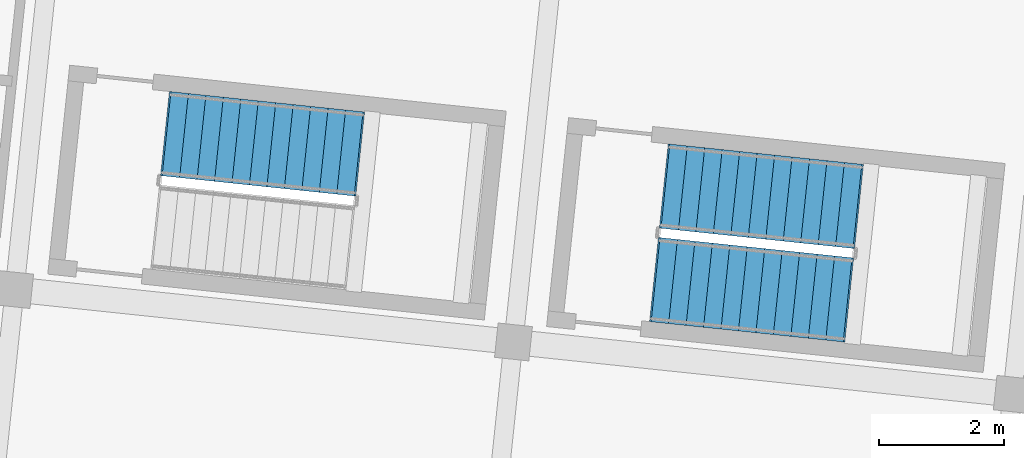
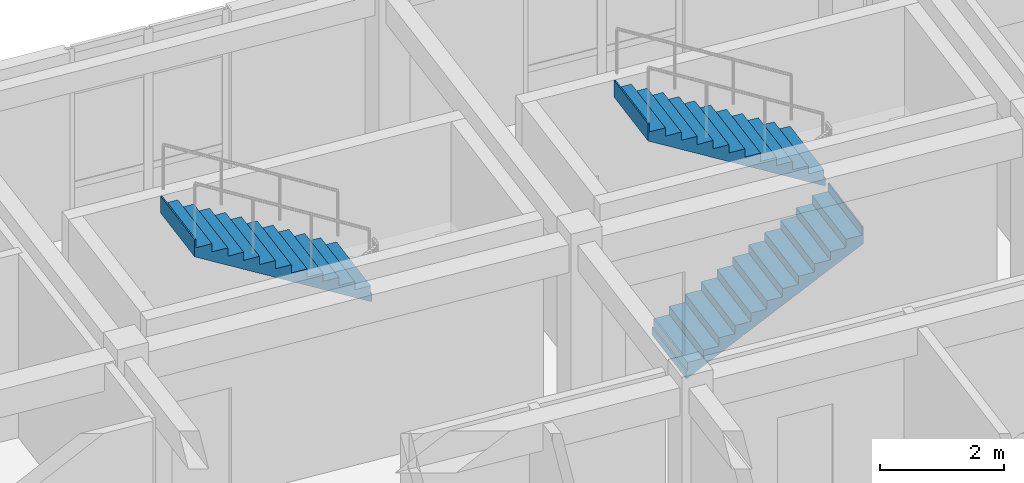
# One storey, part 107 of 150: 3 stair flights, 2 elements without a shape of their own.
"""IFC4 building model written with IfcOpenShell, lengths in metres."""

import ifcopenshell
import ifcopenshell.guid

model = None  # the IFC model being written
_history = None  # IfcOwnerHistory: only IFC2X3 demands one
_inside = {}  # id of a spatial element -> (the spatial element, [elements in it])
_under = {}  # id of a project, library or spatial element -> (it, [spatial elements below it])
_declared = {}  # id of a project -> (the project, [libraries it declares])
_typed = {}  # id of a type object -> (the type object, [elements of that type])
_made_of = {}  # id of a material, layer set ... -> (it, [elements and type objects made of it])


def new_model(schema):
    """Start an empty IFC model of exactly this schema.

    Asked for "IFC4X3", IfcOpenShell would pick the latest addendum, in which some entities
    have other attributes; the version numbers below select the first issue.
    IFC2X3 requires an IfcOwnerHistory on every rooted entity: one is made here for all.
    """
    global model, _history
    if schema == "IFC4X3":
        model = ifcopenshell.file(schema_version=(4, 3, 0, 0))
    else:
        model = ifcopenshell.file(schema=schema)
    _inside.clear()
    _under.clear()
    _declared.clear()
    _typed.clear()
    _made_of.clear()
    _history = None
    if model.schema == "IFC2X3":
        org = make("IfcOrganization", Name="unknown")
        user = make(
            "IfcPersonAndOrganization",
            ThePerson=make("IfcPerson", FamilyName="unknown"),
            TheOrganization=org,
        )
        app = make(
            "IfcApplication",
            ApplicationDeveloper=org,
            Version="unknown",
            ApplicationFullName="unknown",
            ApplicationIdentifier="unknown",
        )
        _history = make(
            "IfcOwnerHistory",
            OwningUser=user,
            OwningApplication=app,
            ChangeAction="ADDED",
            CreationDate=0,
        )
    return model


def make(cls, **values):
    """One entity of the class cls with the attributes given. An attribute that is None is left unset."""
    return model.create_entity(
        cls, **{name: value for name, value in values.items() if value is not None}
    )


def rooted(cls, **values):
    """An entity with a GlobalId (a new one), such as an element, a storey or a relation."""
    return make(cls, GlobalId=ifcopenshell.guid.new(), OwnerHistory=_history, **values)


def si_unit(unit_type, name, prefix=None):
    """IfcSIUnit, for example si_unit("LENGTHUNIT", "METRE", prefix="MILLI")."""
    return make("IfcSIUnit", UnitType=unit_type, Prefix=prefix, Name=name)


def assignment(units):
    """IfcUnitAssignment: the units of a project."""
    return None if units is None else make("IfcUnitAssignment", Units=units)


def point(xyz):
    """IfcCartesianPoint."""
    return None if xyz is None else make("IfcCartesianPoint", Coordinates=xyz)


def direction(xyz):
    """IfcDirection."""
    return None if xyz is None else make("IfcDirection", DirectionRatios=xyz)


def frame(location, z_axis=None, x_axis=None):
    """IfcAxis2Placement3D, a coordinate frame: its origin and axes. An axis left out is left unset."""
    return make(
        "IfcAxis2Placement3D",
        Location=point(location),
        Axis=direction(z_axis),
        RefDirection=direction(x_axis),
    )


def origin():
    """The frame at (0, 0, 0) with its axes left unset."""
    return frame((0.0, 0.0, 0.0))


def place(relative_to, where):
    """IfcLocalPlacement: puts the frame where relative to a parent placement (None: the world)."""
    return make(
        "IfcLocalPlacement", PlacementRelTo=relative_to, RelativePlacement=where
    )


def context(
    kind, dimensions, precision=None, world=None, true_north=None, identifier=None
):
    """IfcGeometricRepresentationContext, for example the 3D "Model" context."""
    return make(
        "IfcGeometricRepresentationContext",
        ContextIdentifier=identifier,
        ContextType=kind,
        CoordinateSpaceDimension=dimensions,
        Precision=precision,
        WorldCoordinateSystem=world,
        TrueNorth=true_north,
    )


def subcontext(parent, identifier, kind, view, scale=None):
    """IfcGeometricRepresentationSubContext, for example "Body" below "Model"."""
    return make(
        "IfcGeometricRepresentationSubContext",
        ContextIdentifier=identifier,
        ContextType=kind,
        ParentContext=parent,
        TargetScale=scale,
        TargetView=view,
    )


def project(units=None, contexts=None):
    """IfcProject with its units and contexts."""
    return rooted(
        "IfcProject",
        Name="project",
        RepresentationContexts=contexts,
        UnitsInContext=assignment(units),
    )


def spatial(cls, under=None, at=None, **own):
    """A site, building, storey or space (cls), placed at a placement, below another one or the project."""
    s = rooted(cls, ObjectPlacement=at, **own)
    if under is not None:
        _under.setdefault(under.id(), (under, []))[1].append(s)
    return s


def polyline(points):
    """IfcPolyline through the points."""
    return make("IfcPolyline", Points=[point(p) for p in points])


def outline(outer, holes=None, kind="AREA"):
    """IfcArbitraryClosedProfileDef: a profile drawn as a closed curve; with holes, ...WithVoids."""
    if holes is None:
        return make("IfcArbitraryClosedProfileDef", ProfileType=kind, OuterCurve=outer)
    return make(
        "IfcArbitraryProfileDefWithVoids",
        ProfileType=kind,
        OuterCurve=outer,
        InnerCurves=holes,
    )


def extrude(swept, where, along, depth):
    """IfcExtrudedAreaSolid: the profile swept, set in the frame where, extruded along a direction by depth."""
    return make(
        "IfcExtrudedAreaSolid",
        SweptArea=swept,
        Position=where,
        ExtrudedDirection=direction(along),
        Depth=depth,
    )


def shape(context_of_items, identifier, shape_type, items):
    """IfcShapeRepresentation: the items that make up one representation, for example the "Body"."""
    return make(
        "IfcShapeRepresentation",
        ContextOfItems=context_of_items,
        RepresentationIdentifier=identifier,
        RepresentationType=shape_type,
        Items=items,
    )


def material(Name=None, Category=None):
    """IfcMaterial."""
    return make("IfcMaterial", Name=Name, Category=Category)


def made_of(thing, what):
    """Note that an element or type object is made of a material, layer set ...; save() writes the relation."""
    if what is not None:
        _made_of.setdefault(what.id(), (what, []))[1].append(thing)
    return thing


def type_object(cls, material=None, **own):
    """A type object (cls), such as IfcWallType, which elements share."""
    return made_of(rooted(cls, **own), material)


def element(
    cls,
    number,
    at=None,
    inside=None,
    cuts=None,
    type_object=None,
    material=None,
    context=None,
    identifier="Body",
    shape_type=None,
    held_by="IfcProductDefinitionShape",
    body=None,
    shapes=None,
    **own,
):
    """One element of the class cls, such as IfcWall. Its Tag is "e" and its number.

    at: its placement. inside: the storey or other place that contains it. cuts: it is an
    opening in that element (IfcRelVoidsElement). A single representation is given by context,
    identifier, shape_type and body (its items); several are given by shapes. held_by: the class
    of the entity that holds the representations. save() writes the other relations.
    """
    e = rooted(cls, Tag="e%d" % number, ObjectPlacement=at, **own)
    if body is not None:
        shapes = [shape(context, identifier, shape_type, body)]
    if shapes is not None:
        e.Representation = make(held_by, Representations=shapes)
    if inside is not None:
        _inside.setdefault(inside.id(), (inside, []))[1].append(e)
    if cuts is not None:
        rooted(
            "IfcRelVoidsElement", RelatingBuildingElement=cuts, RelatedOpeningElement=e
        )
    if type_object is not None:
        _typed.setdefault(type_object.id(), (type_object, []))[1].append(e)
    return made_of(e, material)


def aggregate(whole, parts):
    """IfcRelAggregates: a whole, such as a stair, and the parts it consists of."""
    return rooted("IfcRelAggregates", RelatingObject=whole, RelatedObjects=parts)


def save(model, path):
    """Write the relations noted so far, then the file.

    IfcRelAggregates (storeys below a building ...), IfcRelContainedInSpatialStructure (elements
    in a storey), IfcRelDefinesByType, IfcRelAssociatesMaterial and IfcRelDeclares: one each for
    every whole, place, type object, material and project.
    """
    for whole, parts in _under.values():
        aggregate(whole, parts)
    for where, things in _inside.values():
        rooted(
            "IfcRelContainedInSpatialStructure",
            RelatedElements=things,
            RelatingStructure=where,
        )
    for kind, things in _typed.values():
        rooted("IfcRelDefinesByType", RelatedObjects=things, RelatingType=kind)
    for what, things in _made_of.values():
        rooted("IfcRelAssociatesMaterial", RelatedObjects=things, RelatingMaterial=what)
    for by, libraries in _declared.values():
        rooted("IfcRelDeclares", RelatingContext=by, RelatedDefinitions=libraries)
    model.write(path)


model = new_model("IFC4")

# Units and contexts
model_context = context("Model", 3, precision=1e-05, world=origin(), true_north=direction((0.0, 1.0)))
body_context = subcontext(model_context, "Body", "Model", "MODEL_VIEW")
ifc_project = project(units=[si_unit("LENGTHUNIT", "METRE"), si_unit("AREAUNIT", "SQUARE_METRE"), si_unit("VOLUMEUNIT", "CUBIC_METRE"), si_unit("PLANEANGLEUNIT", "RADIAN"), si_unit("MASSUNIT", "GRAM", prefix="KILO")], contexts=[model_context])

# Site, building, storey
site_placement = place(None, origin())
site = spatial("IfcSite", under=ifc_project, at=site_placement, CompositionType="ELEMENT")
building_placement = place(site_placement, origin())
building = spatial("IfcBuilding", under=site, at=building_placement, Name="Kestramere Prow Commons", CompositionType="ELEMENT")
storey_placement = place(building_placement, frame((0.0, 0.0, 4.5)))
storey = spatial("IfcBuildingStorey", under=building, at=storey_placement, Name="L01", CompositionType="ELEMENT", Elevation=4.5)

# Stair, stair flight
ifc_material = material(Name="Concrete C40/50", Category="concrete")
stair_type = type_object("IfcStairType", Name="ST-DOG-1350", PredefinedType="HALF_TURN_STAIR", material=ifc_material)
stair_1_placement = place(storey_placement, origin())
stair_1 = element("IfcStair", 1, at=stair_1_placement, inside=storey, type_object=stair_type, Name="L01 Block B Exit Stair 1", PredefinedType="HALF_TURN_STAIR")
stair_flight_type = type_object("IfcStairFlightType", Name="SFL-1350", PredefinedType="STRAIGHT", material=ifc_material)
stair_flight_1_placement = place(storey_placement, frame((140.609130859375, 106.388916015625, 1.949951171875), z_axis=(0.0, 0.0, 1.0), x_axis=(-0.994521895368, 0.104528463268, 0.0)))
stair_flight_1 = element("IfcStairFlight", 2, at=stair_flight_1_placement, type_object=stair_flight_type, Name="ST-B1 flight 2", NumberOfRisers=12, NumberOfTreads=11, PredefinedType="STRAIGHT", RiserHeight=0.1625, TreadLength=0.28, context=body_context, shape_type="SweptSolid", body=[
    extrude(outline(polyline([(-0.02490234375, 0.0), (0.0, 0.0), (0.0, 0.16259765625), (0.280029296875, 0.16259765625), (0.280029296875, 0.324951171875), (0.56005859375, 0.324951171875), (0.56005859375, 0.487548828125), (0.840087890625, 0.487548828125), (0.840087890625, 0.64990234375), (1.1201171875, 0.64990234375), (1.1201171875, 0.8125), (1.39990234375, 0.8125), (1.39990234375, 0.97509765625), (1.679931640625, 0.97509765625), (1.679931640625, 1.137451171875), (1.9599609375, 1.137451171875), (1.9599609375, 1.300048828125), (2.239990234375, 1.300048828125), (2.239990234375, 1.46240234375), (2.52001953125, 1.46240234375), (2.52001953125, 1.625), (2.800048828125, 1.625), (2.800048828125, 1.78759765625), (3.080078125, 1.78759765625), (3.080078125, 1.949951171875), (3.10498046875, 1.949951171875), (3.10498046875, 1.6142578125), (0.0, -0.14990234375), (-0.02490234375, -0.14990234375), (-0.02490234375, 0.0)])), frame((0.0, 0.675048828125, 0.0), z_axis=(0.0, -1.0, 0.0), x_axis=(1.0, 0.0, 0.0)), (0.0, 0.0, 1.0), 1.35009765625),
])
aggregate(stair_1, [stair_flight_1])

# Stair, stair flights
stair_2_placement = place(storey_placement, origin())
stair_2 = element("IfcStair", 3, at=stair_2_placement, inside=storey, type_object=stair_type, Name="L01 Block B Exit Stair 2", PredefinedType="HALF_TURN_STAIR")
stair_flight_2_placement = place(storey_placement, frame((145.34521484375, 104.3828125, 0.0), z_axis=(0.0, 0.0, 1.0), x_axis=(0.994521895368, -0.104528463268, 0.0)))
stair_flight_2 = element("IfcStairFlight", 4, at=stair_flight_2_placement, type_object=stair_flight_type, Name="ST-B2 flight 1", NumberOfRisers=12, NumberOfTreads=11, PredefinedType="STRAIGHT", RiserHeight=0.1625, TreadLength=0.28, context=body_context, shape_type="SweptSolid", body=[
    extrude(outline(polyline([(-0.02490234375, 0.0), (0.0, 0.0), (0.0, 0.16259765625), (0.280029296875, 0.16259765625), (0.280029296875, 0.324951171875), (0.56005859375, 0.324951171875), (0.56005859375, 0.487548828125), (0.840087890625, 0.487548828125), (0.840087890625, 0.64990234375), (1.1201171875, 0.64990234375), (1.1201171875, 0.8125), (1.39990234375, 0.8125), (1.39990234375, 0.97509765625), (1.679931640625, 0.97509765625), (1.679931640625, 1.137451171875), (1.9599609375, 1.137451171875), (1.9599609375, 1.300048828125), (2.239990234375, 1.300048828125), (2.239990234375, 1.46240234375), (2.52001953125, 1.46240234375), (2.52001953125, 1.625), (2.800048828125, 1.625), (2.800048828125, 1.78759765625), (3.080078125, 1.78759765625), (3.080078125, 1.949951171875), (3.10498046875, 1.949951171875), (3.10498046875, 1.6142578125), (0.0, -0.14990234375), (-0.02490234375, -0.14990234375), (-0.02490234375, 0.0)])), frame((0.0, 0.675048828125, 0.0), z_axis=(0.0, -1.0, 0.0), x_axis=(1.0, 0.0, 0.0)), (0.0, 0.0, 1.0), 1.35009765625),
])
stair_flight_3_placement = place(storey_placement, frame((148.565185546875, 105.552734375, 1.949951171875), z_axis=(0.0, 0.0, 1.0), x_axis=(-0.994521895368, 0.104528463268, 0.0)))
stair_flight_3 = element("IfcStairFlight", 5, at=stair_flight_3_placement, type_object=stair_flight_type, Name="ST-B2 flight 2", NumberOfRisers=12, NumberOfTreads=11, PredefinedType="STRAIGHT", RiserHeight=0.1625, TreadLength=0.28, context=body_context, shape_type="SweptSolid", body=[
    extrude(outline(polyline([(-0.02490234375, 0.0), (0.0, 0.0), (0.0, 0.16259765625), (0.280029296875, 0.16259765625), (0.280029296875, 0.324951171875), (0.56005859375, 0.324951171875), (0.56005859375, 0.487548828125), (0.840087890625, 0.487548828125), (0.840087890625, 0.64990234375), (1.1201171875, 0.64990234375), (1.1201171875, 0.8125), (1.39990234375, 0.8125), (1.39990234375, 0.97509765625), (1.679931640625, 0.97509765625), (1.679931640625, 1.137451171875), (1.9599609375, 1.137451171875), (1.9599609375, 1.300048828125), (2.239990234375, 1.300048828125), (2.239990234375, 1.46240234375), (2.52001953125, 1.46240234375), (2.52001953125, 1.625), (2.800048828125, 1.625), (2.800048828125, 1.78759765625), (3.080078125, 1.78759765625), (3.080078125, 1.949951171875), (3.10498046875, 1.949951171875), (3.10498046875, 1.6142578125), (0.0, -0.14990234375), (-0.02490234375, -0.14990234375), (-0.02490234375, 0.0)])), frame((0.0, 0.675048828125, 0.0), z_axis=(0.0, -1.0, 0.0), x_axis=(1.0, 0.0, 0.0)), (0.0, 0.0, 1.0), 1.35009765625),
])
aggregate(stair_2, [stair_flight_2, stair_flight_3])

save(model, "model.ifc")
